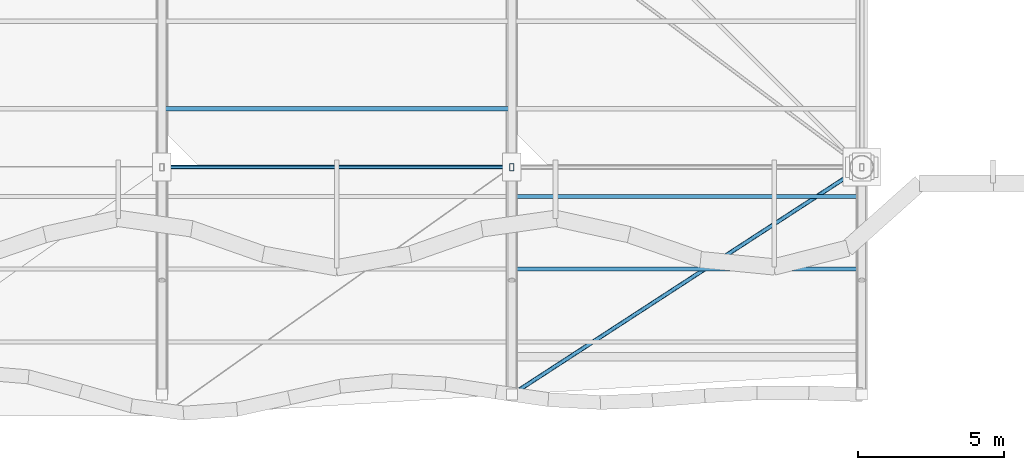
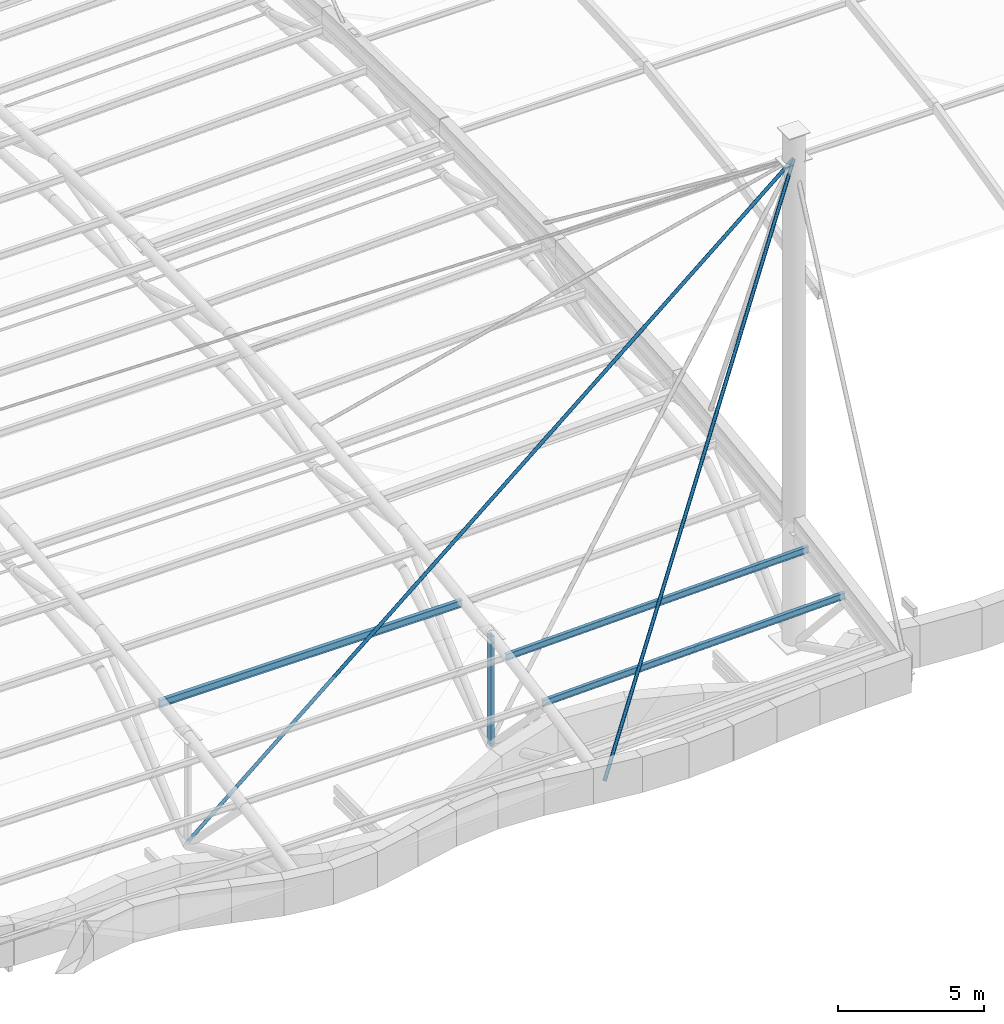
# One storey, part 11 of 29: 6 members.
"""IFC4 building model written with IfcOpenShell, lengths in metres."""

from ifc_helpers import new_model, si_unit, direction, frame, origin, origin_2d, place, context, subcontext, project, spatial, hollow_rectangle, hollow_circle, i_section, extrude, material, material_profile, profile_set, type_object, element, save


model = new_model("IFC4")

# Units and contexts
model_context = context("Model", 3, precision=1e-05, world=origin(), true_north=direction((0.0, 1.0)))
body_context = subcontext(model_context, "Body", "Model", "MODEL_VIEW")
ifc_project = project(units=[si_unit("LENGTHUNIT", "METRE"), si_unit("AREAUNIT", "SQUARE_METRE"), si_unit("VOLUMEUNIT", "CUBIC_METRE"), si_unit("PLANEANGLEUNIT", "RADIAN"), si_unit("MASSUNIT", "GRAM", prefix="KILO")], contexts=[model_context])

# Site, building, storey
site_placement = place(None, origin())
site = spatial("IfcSite", under=ifc_project, at=site_placement, CompositionType="ELEMENT")
building_placement = place(site_placement, origin())
building = spatial("IfcBuilding", under=site, at=building_placement, Name="Keelwater Ferry Terminal", CompositionType="ELEMENT")
storey_placement = place(building_placement, frame((0.0, 0.0, 27.89990234375)))
storey = spatial("IfcBuildingStorey", under=building, at=storey_placement, Name="RF", CompositionType="ELEMENT", Elevation=27.89990234375)

# Members
ifc_material_1 = material(Name="Steel S355", Category="steel")
ifc_material_profile_1 = material_profile(ifc_material_1, hollow_rectangle(XDim=0.14990234375, YDim=0.25, WallThickness=0.010009765625, at=origin_2d()), Name="RHS 250x150x10")
ifc_profile_set_1 = profile_set([ifc_material_profile_1], Name="Steel S355")
member_type_1 = type_object("IfcMemberType", Name="BR5 RHS 250x150x10", PredefinedType="BRACE", material=ifc_profile_set_1)
member_1_placement = place(storey_placement, frame((120.0, 42.0, -13.0498046875), z_axis=(0.0, 0.0, 1.0), x_axis=(1.0, 0.0, 0.0)))
element("IfcMember", 1, at=member_1_placement, inside=storey, type_object=member_type_1, Name="Structural Member MB-RF-0192", PredefinedType="BRACE", context=body_context, shape_type="SweptSolid", body=[
    extrude(hollow_rectangle(XDim=0.14990234375, YDim=0.25, WallThickness=0.010009765625, at=origin_2d()), origin(), (0.0, 0.0, 1.0), 4.615966796875),
])
ifc_material_2 = material(Name="Steel S355", Category="steel")
ifc_material_profile_2 = material_profile(ifc_material_2, i_section(OverallWidth=0.14990234375, OverallDepth=0.300048828125, WebThickness=0.007080078125, FlangeThickness=0.0107421875, at=origin_2d()), Name="IPE 300")
ifc_profile_set_2 = profile_set([ifc_material_profile_2], Name="Steel S355")
member_type_2 = type_object("IfcMemberType", Name="PR1 IPE 300", PredefinedType="PURLIN", material=ifc_profile_set_2)
member_2_placement = place(storey_placement, frame((108.0, 44.0, -8.322021484375), z_axis=(0.999999303785, 0.0, 0.001180012199), x_axis=(0.0, 1.0, 0.0)))
element("IfcMember", 2, at=member_2_placement, inside=storey, type_object=member_type_2, Name="Structural Member MB-RF-0351", PredefinedType="PURLIN", context=body_context, shape_type="SweptSolid", body=[
    extrude(i_section(OverallWidth=0.14990234375, OverallDepth=0.300048828125, WebThickness=0.007080078125, FlangeThickness=0.0107421875, at=origin_2d()), origin(), (0.0, 0.0, 1.0), 12.0),
])
ifc_material_3 = material(Name="Steel S355", Category="steel")
ifc_material_profile_3 = material_profile(ifc_material_3, i_section(OverallWidth=0.135009765625, OverallDepth=0.27001953125, WebThickness=0.006591796875, FlangeThickness=0.01025390625, at=origin_2d()), Name="IPE 270")
ifc_profile_set_3 = profile_set([ifc_material_profile_3], Name="Steel S355")
member_type_3 = type_object("IfcMemberType", Name="PR2E IPE 270", PredefinedType="PURLIN", material=ifc_profile_set_3)
for number, where, z_axis, x_axis, name in (
    (3, (120.0, 38.5, -9.181884765625), (0.999615172935, 0.0, 0.02773997184), (0.0, 1.0, 0.0), "Structural Member MB-RF-0368"),
    (4, (120.0, 41.0, -8.760986328125), (0.999612913888, 0.0, 0.027821257857), (0.0, 1.0, 0.0), "Structural Member MB-RF-0369"),
):
    element("IfcMember", number, at=place(storey_placement, frame(where, z_axis=z_axis, x_axis=x_axis)), inside=storey, type_object=member_type_3, Name=name, PredefinedType="PURLIN", context=body_context, shape_type="SweptSolid", body=[
        extrude(i_section(OverallWidth=0.135009765625, OverallDepth=0.27001953125, WebThickness=0.006591796875, FlangeThickness=0.01025390625, at=origin_2d()), origin(), (0.0, 0.0, 1.0), 12.004638671875),
    ])
ifc_material_4 = material(Name="Steel S460", Category="steel")
ifc_material_profile_4 = material_profile(ifc_material_4, hollow_circle(Radius=0.06982421875, WallThickness=0.010009765625, at=origin_2d()), Name="CHS 139.7x10")
ifc_profile_set_4 = profile_set([ifc_material_profile_4], Name="Steel S460")
member_type_4 = type_object("IfcMemberType", Name="SC2E CHS 139.7x10", PredefinedType="USERDEFINED", material=ifc_profile_set_4)
member_3_placement = place(storey_placement, frame((132.0, 42.0, 7.300048828125), z_axis=(-0.53756713111, -0.349420822588, -0.767415577306), x_axis=(0.544990748927, -0.83844205738, 0.0)))
element("IfcMember", 5, at=member_3_placement, inside=storey, type_object=member_type_4, Name="Structural Member MB-RF-0402", ObjectType="CABLE", PredefinedType="USERDEFINED", context=body_context, shape_type="SweptSolid", body=[
    extrude(hollow_circle(Radius=0.06982421875, WallThickness=0.010009765625, at=origin_2d()), origin(), (0.0, 0.0, 1.0), 22.32275390625),
])
member_4_placement = place(storey_placement, frame((132.0, 42.0, 7.300048828125), z_axis=(-0.765077272354, 0.0, -0.643938481011), x_axis=(0.0, -1.0, 0.0)))
element("IfcMember", 6, at=member_4_placement, inside=storey, type_object=member_type_4, Name="Structural Member MB-RF-0404", ObjectType="CABLE", PredefinedType="USERDEFINED", context=body_context, shape_type="SweptSolid", body=[
    extrude(hollow_circle(Radius=0.06982421875, WallThickness=0.010009765625, at=origin_2d()), origin(), (0.0, 0.0, 1.0), 31.369384765625),
])

save(model, "model.ifc")
